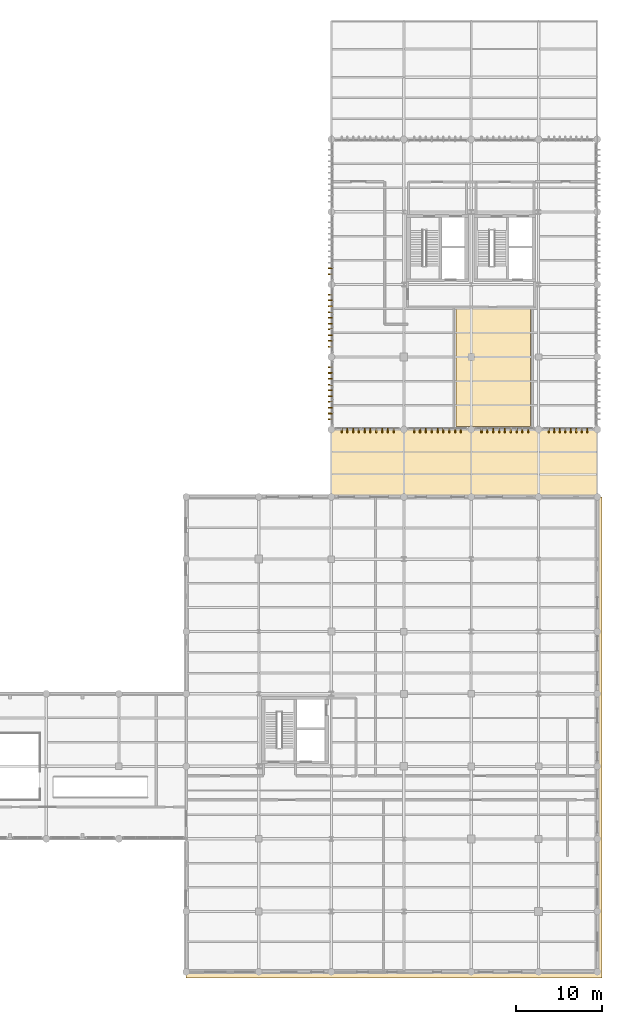
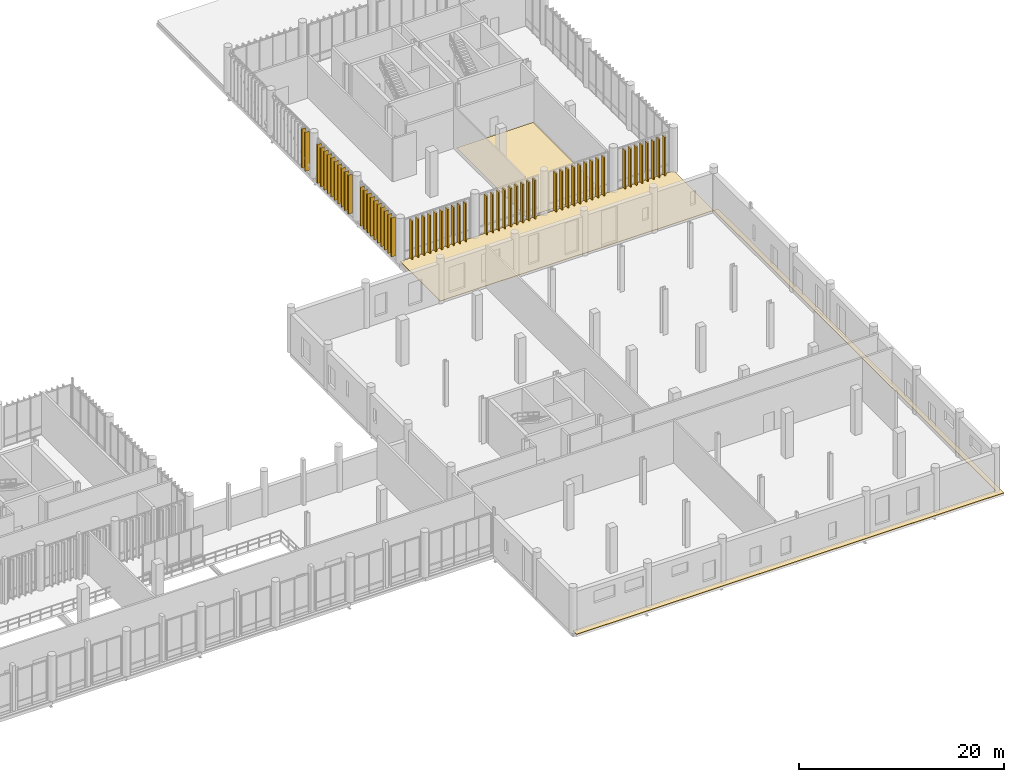
# One storey, part 124 of 128: 61 coverings, 2 elements without a shape of their own.
"""IFC4 building model written with IfcOpenShell, lengths in metres."""

from ifc_helpers import new_model, si_unit, direction, frame, frame_2d, origin_with_axes, place, context, subcontext, project, spatial, polyline, rectangle, outline, extrude, material, type_object, element, aggregate, save


model = new_model("IFC4")

# Units and contexts
model_context = context("Model", 3, precision=1e-05, world=origin_with_axes(), true_north=direction((0.0, 1.0)))
body_context = subcontext(model_context, "Body", "Model", "MODEL_VIEW")
ifc_project = project(units=[si_unit("LENGTHUNIT", "METRE"), si_unit("AREAUNIT", "SQUARE_METRE"), si_unit("VOLUMEUNIT", "CUBIC_METRE"), si_unit("PLANEANGLEUNIT", "RADIAN"), si_unit("MASSUNIT", "GRAM", prefix="KILO"), si_unit("THERMODYNAMICTEMPERATUREUNIT", "KELVIN")], contexts=[model_context])

# Site, building, storey
site_placement = place(None, origin_with_axes())
site = spatial("IfcSite", under=ifc_project, at=site_placement, CompositionType="ELEMENT")
building_placement = place(site_placement, origin_with_axes())
building = spatial("IfcBuilding", under=site, at=building_placement, Name="Montbau Bow Law Courts", CompositionType="ELEMENT")
storey_placement = place(building_placement, frame((0.0, 0.0, 5.4), z_axis=(0.0, 0.0, 1.0), x_axis=(1.0, 0.0, 0.0)))
storey = spatial("IfcBuildingStorey", under=building, at=storey_placement, Name="L01", CompositionType="ELEMENT", Elevation=5.4)

# Coverings
ifc_material_1 = material(Name="Honed Manitoba Tyndall Limestone Concourse Flooring", Category="masonry")
covering_type_1 = type_object("IfcCoveringType", Name="CV-FLR-01", PredefinedType="FLOORING", material=ifc_material_1)
covering_1_placement = place(None, frame((0.0, 0.0, 5.4), z_axis=(0.0, 0.0, 1.0), x_axis=(1.0, 0.0, 0.0)))
element("IfcCovering", 1, at=covering_1_placement, inside=storey, type_object=covering_type_1, Name="FLR-L01-07:cov_3542", PredefinedType="FLOORING", context=body_context, shape_type="SweptSolid", body=[
    extrude(outline(polyline([(153.026, 69.97), (153.026, 83.6), (161.654, 83.6), (161.654, 69.97), (153.026, 69.97)])), origin_with_axes(), (0.0, 0.0, 1.0), 0.025),
])
ifc_material_2 = material(Name="Freeze-Thaw Glazed Slate-Grey Ceramic Vertical Louvre", Category="masonry")
covering_type_2 = type_object("IfcCoveringType", Name="CV-LVR-SLT", PredefinedType="CLADDING", material=ifc_material_2)
for number, where, z_axis, x_axis, name in (
    (2, (139.785, 69.73, 5.4), (-1.0, 0.0, 0.0), (0.0, -1.0, 0.0), "CLV-L01-2446:cov_2491"),
    (3, (140.455, 69.73, 5.4), (-1.0, 0.0, 0.0), (0.0, -1.0, 0.0), "CLV-L01-2447:cov_2492"),
    (4, (141.125, 69.73, 5.4), (-1.0, 0.0, 0.0), (0.0, -1.0, 0.0), "CLV-L01-2448:cov_2493"),
    (5, (141.795, 69.73, 5.4), (-1.0, 0.0, 0.0), (0.0, -1.0, 0.0), "CLV-L01-2449:cov_2494"),
    (6, (142.465, 69.73, 5.4), (-1.0, 0.0, 0.0), (0.0, -1.0, 0.0), "CLV-L01-2450:cov_2495"),
    (7, (143.135, 69.73, 5.4), (-1.0, 0.0, 0.0), (0.0, -1.0, 0.0), "CLV-L01-2451:cov_2496"),
    (8, (143.805, 69.73, 5.4), (-1.0, 0.0, 0.0), (0.0, -1.0, 0.0), "CLV-L01-2452:cov_2497"),
    (9, (144.475, 69.73, 5.4), (-1.0, 0.0, 0.0), (0.0, -1.0, 0.0), "CLV-L01-2453:cov_2498"),
    (10, (145.145, 69.73, 5.4), (-1.0, 0.0, 0.0), (0.0, -1.0, 0.0), "CLV-L01-2454:cov_2499"),
    (11, (145.815, 69.73, 5.4), (-1.0, 0.0, 0.0), (0.0, -1.0, 0.0), "CLV-L01-2455:cov_2500"),
    (12, (148.192, 69.73, 5.4), (-1.0, 0.0, 0.0), (0.0, -1.0, 0.0), "CLV-L01-2456:cov_2501"),
    (13, (148.869, 69.73, 5.4), (-1.0, 0.0, 0.0), (0.0, -1.0, 0.0), "CLV-L01-2457:cov_2502"),
    (14, (149.546, 69.73, 5.4), (-1.0, 0.0, 0.0), (0.0, -1.0, 0.0), "CLV-L01-2458:cov_2503"),
    (15, (150.223, 69.73, 5.4), (-1.0, 0.0, 0.0), (0.0, -1.0, 0.0), "CLV-L01-2459:cov_2504"),
    (16, (150.9, 69.73, 5.4), (-1.0, 0.0, 0.0), (0.0, -1.0, 0.0), "CLV-L01-2460:cov_2505"),
    (17, (151.577, 69.73, 5.4), (-1.0, 0.0, 0.0), (0.0, -1.0, 0.0), "CLV-L01-2461:cov_2506"),
    (18, (152.254, 69.73, 5.4), (-1.0, 0.0, 0.0), (0.0, -1.0, 0.0), "CLV-L01-2462:cov_2507"),
    (19, (152.931, 69.73, 5.4), (-1.0, 0.0, 0.0), (0.0, -1.0, 0.0), "CLV-L01-2463:cov_2508"),
    (20, (153.608, 69.73, 5.4), (-1.0, 0.0, 0.0), (0.0, -1.0, 0.0), "CLV-L01-2464:cov_2509"),
    (21, (155.992, 69.73, 5.4), (-1.0, 0.0, 0.0), (0.0, -1.0, 0.0), "CLV-L01-2465:cov_2510"),
    (22, (156.669, 69.73, 5.4), (-1.0, 0.0, 0.0), (0.0, -1.0, 0.0), "CLV-L01-2466:cov_2511"),
    (23, (157.346, 69.73, 5.4), (-1.0, 0.0, 0.0), (0.0, -1.0, 0.0), "CLV-L01-2467:cov_2512"),
    (24, (158.023, 69.73, 5.4), (-1.0, 0.0, 0.0), (0.0, -1.0, 0.0), "CLV-L01-2468:cov_2513"),
    (25, (158.7, 69.73, 5.4), (-1.0, 0.0, 0.0), (0.0, -1.0, 0.0), "CLV-L01-2469:cov_2514"),
    (26, (159.377, 69.73, 5.4), (-1.0, 0.0, 0.0), (0.0, -1.0, 0.0), "CLV-L01-2470:cov_2515"),
    (27, (160.054, 69.73, 5.4), (-1.0, 0.0, 0.0), (0.0, -1.0, 0.0), "CLV-L01-2471:cov_2516"),
    (28, (160.731, 69.73, 5.4), (-1.0, 0.0, 0.0), (0.0, -1.0, 0.0), "CLV-L01-2472:cov_2517"),
    (29, (161.408, 69.73, 5.4), (-1.0, 0.0, 0.0), (0.0, -1.0, 0.0), "CLV-L01-2473:cov_2518"),
    (30, (163.756, 69.73, 5.4), (-1.0, 0.0, 0.0), (0.0, -1.0, 0.0), "CLV-L01-2474:cov_2519"),
    (31, (164.397, 69.73, 5.4), (-1.0, 0.0, 0.0), (0.0, -1.0, 0.0), "CLV-L01-2475:cov_2520"),
    (32, (165.038, 69.73, 5.4), (-1.0, 0.0, 0.0), (0.0, -1.0, 0.0), "CLV-L01-2476:cov_2521"),
    (33, (165.679, 69.73, 5.4), (-1.0, 0.0, 0.0), (0.0, -1.0, 0.0), "CLV-L01-2477:cov_2522"),
    (34, (166.321, 69.73, 5.4), (-1.0, 0.0, 0.0), (0.0, -1.0, 0.0), "CLV-L01-2478:cov_2523"),
    (35, (166.962, 69.73, 5.4), (-1.0, 0.0, 0.0), (0.0, -1.0, 0.0), "CLV-L01-2479:cov_2524"),
    (36, (167.603, 69.73, 5.4), (-1.0, 0.0, 0.0), (0.0, -1.0, 0.0), "CLV-L01-2480:cov_2525"),
    (37, (168.244, 69.73, 5.4), (-1.0, 0.0, 0.0), (0.0, -1.0, 0.0), "CLV-L01-2481:cov_2526"),
    (38, (138.73, 70.785, 5.4), (0.0, 1.0, 0.0), (-1.0, 0.0, 0.0), "CLV-L01-2518:cov_2563"),
    (39, (138.73, 71.455, 5.4), (0.0, 1.0, 0.0), (-1.0, 0.0, 0.0), "CLV-L01-2519:cov_2564"),
    (40, (138.73, 72.125, 5.4), (0.0, 1.0, 0.0), (-1.0, 0.0, 0.0), "CLV-L01-2520:cov_2565"),
    (41, (138.73, 72.795, 5.4), (0.0, 1.0, 0.0), (-1.0, 0.0, 0.0), "CLV-L01-2521:cov_2566"),
    (42, (138.73, 73.465, 5.4), (0.0, 1.0, 0.0), (-1.0, 0.0, 0.0), "CLV-L01-2522:cov_2567"),
    (43, (138.73, 74.135, 5.4), (0.0, 1.0, 0.0), (-1.0, 0.0, 0.0), "CLV-L01-2523:cov_2568"),
    (44, (138.73, 74.805, 5.4), (0.0, 1.0, 0.0), (-1.0, 0.0, 0.0), "CLV-L01-2524:cov_2569"),
    (45, (138.73, 75.475, 5.4), (0.0, 1.0, 0.0), (-1.0, 0.0, 0.0), "CLV-L01-2525:cov_2570"),
    (46, (138.73, 76.145, 5.4), (0.0, 1.0, 0.0), (-1.0, 0.0, 0.0), "CLV-L01-2526:cov_2571"),
    (47, (138.73, 76.815, 5.4), (0.0, 1.0, 0.0), (-1.0, 0.0, 0.0), "CLV-L01-2527:cov_2572"),
    (48, (138.73, 79.185, 5.4), (0.0, 1.0, 0.0), (-1.0, 0.0, 0.0), "CLV-L01-2528:cov_2573"),
    (49, (138.73, 79.855, 5.4), (0.0, 1.0, 0.0), (-1.0, 0.0, 0.0), "CLV-L01-2529:cov_2574"),
    (50, (138.73, 80.525, 5.4), (0.0, 1.0, 0.0), (-1.0, 0.0, 0.0), "CLV-L01-2530:cov_2575"),
    (51, (138.73, 81.195, 5.4), (0.0, 1.0, 0.0), (-1.0, 0.0, 0.0), "CLV-L01-2531:cov_2576"),
    (52, (138.73, 81.865, 5.4), (0.0, 1.0, 0.0), (-1.0, 0.0, 0.0), "CLV-L01-2532:cov_2577"),
    (53, (138.73, 82.535, 5.4), (0.0, 1.0, 0.0), (-1.0, 0.0, 0.0), "CLV-L01-2533:cov_2578"),
    (54, (138.73, 83.205, 5.4), (0.0, 1.0, 0.0), (-1.0, 0.0, 0.0), "CLV-L01-2534:cov_2579"),
    (55, (138.73, 83.875, 5.4), (0.0, 1.0, 0.0), (-1.0, 0.0, 0.0), "CLV-L01-2535:cov_2580"),
    (56, (138.73, 84.545, 5.4), (0.0, 1.0, 0.0), (-1.0, 0.0, 0.0), "CLV-L01-2536:cov_2581"),
    (57, (138.73, 85.215, 5.4), (0.0, 1.0, 0.0), (-1.0, 0.0, 0.0), "CLV-L01-2537:cov_2582"),
    (58, (138.73, 87.585, 5.4), (0.0, 1.0, 0.0), (-1.0, 0.0, 0.0), "CLV-L01-2538:cov_2583"),
    (59, (138.73, 88.255, 5.4), (0.0, 1.0, 0.0), (-1.0, 0.0, 0.0), "CLV-L01-2539:cov_2584"),
):
    element("IfcCovering", number, at=place(None, frame(where, z_axis=z_axis, x_axis=x_axis)), inside=storey, type_object=covering_type_2, Name=name, PredefinedType="CLADDING", context=body_context, shape_type="SweptSolid", body=[
        extrude(rectangle(XDim=0.48, YDim=4.64, at=frame_2d((0.24, 2.32), x_axis=(1.0, 0.0))), frame((0.0, 0.0, -0.06), z_axis=(0.0, 0.0, 1.0), x_axis=(1.0, 0.0, 0.0)), (0.0, 0.0, 1.0), 0.12),
    ])

# Roof, covering
ifc_material_3 = material(Name="Insulated Inverted Membrane Roof", Category="other")
roof_type = type_object("IfcRoofType", Name="RF-FL-01", PredefinedType="FLAT_ROOF", material=ifc_material_3)
roof_1_placement = place(None, frame((121.8, 6.08, 5.4), z_axis=(0.0, 0.0, 1.0), x_axis=(1.0, 0.0, 0.0)))
roof_1 = element("IfcRoof", 60, at=roof_1_placement, inside=storey, type_object=roof_type, Name="ROOF-LID-L01-11:rof_0016", PredefinedType="FLAT_ROOF")
ifc_material_4 = material(Name="Standing-Seam Pre-Weathered Zinc Roofing Membrane", Category="steel")
covering_type_3 = type_object("IfcCoveringType", Name="CV-ROF-01", PredefinedType="ROOFING", material=ifc_material_4)
covering_2_placement = place(None, frame((0.0, 0.0, 5.4), z_axis=(0.0, 0.0, 1.0), x_axis=(1.0, 0.0, 0.0)))
covering_2 = element("IfcCovering", 61, at=covering_2_placement, type_object=covering_type_3, Name="CVR-LID-L01-11:cov_0016", PredefinedType="ROOFING", context=body_context, shape_type="SweptSolid", body=[
    extrude(outline(polyline([(169.92, 61.8), (169.92, 6.08), (121.8, 6.08), (121.8, 6.796), (169.404, 6.796), (169.404, 61.8), (169.92, 61.8)])), origin_with_axes(), (0.0, 0.0, 1.0), 0.06),
])
aggregate(roof_1, [covering_2])

roof_2_placement = place(None, frame((138.6, 61.804, 5.4), z_axis=(0.0, 0.0, 1.0), x_axis=(1.0, 0.0, 0.0)))
roof_2 = element("IfcRoof", 62, at=roof_2_placement, inside=storey, type_object=roof_type, Name="ROOF-LID-L01-12:rof_0017", PredefinedType="FLAT_ROOF")
covering_3_placement = place(None, frame((0.0, 0.0, 5.4), z_axis=(0.0, 0.0, 1.0), x_axis=(1.0, 0.0, 0.0)))
covering_3 = element("IfcCovering", 63, at=covering_3_placement, type_object=covering_type_3, Name="CVR-LID-L01-12:cov_0017", PredefinedType="ROOFING", context=body_context, shape_type="SweptSolid", body=[
    extrude(outline(polyline([(138.6, 69.596), (169.4, 69.596), (169.4, 61.804), (138.6, 61.804), (138.6, 69.596)])), origin_with_axes(), (0.0, 0.0, 1.0), 0.06),
])
aggregate(roof_2, [covering_3])

save(model, "model.ifc")
